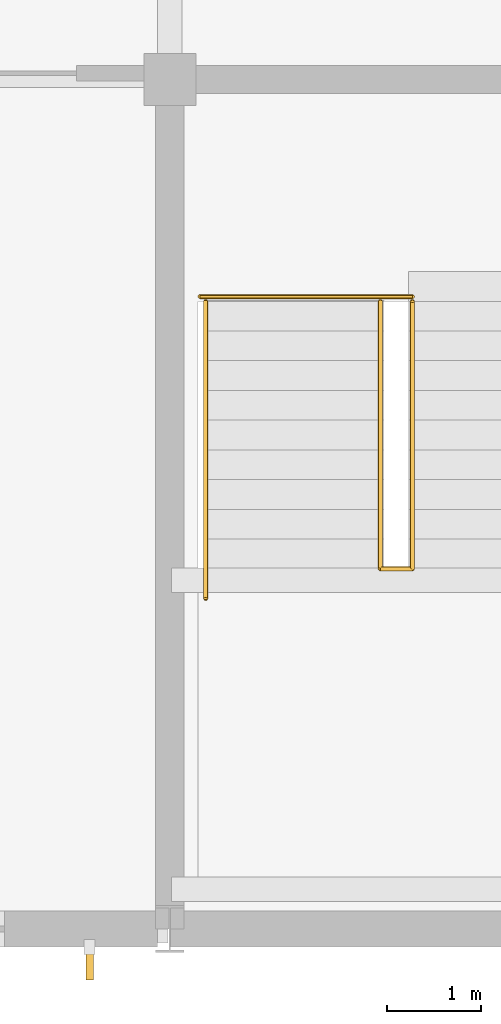
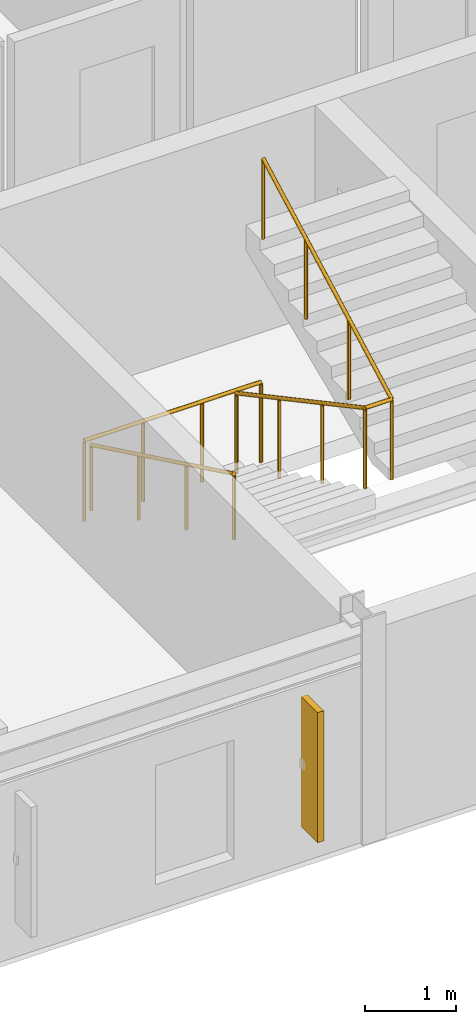
# One storey, part 28 of 30: 3 railings, 1 shading device.
"""IFC4 building model written with IfcOpenShell, lengths in metres."""

from ifc_helpers import new_model, si_unit, direction, frame, origin, origin_2d, place, context, subcontext, project, spatial, rectangle, circle, extrude, material, type_object, element, save


model = new_model("IFC4")

# Units and contexts
model_context = context("Model", 3, precision=1e-05, world=origin(), true_north=direction((0.0, 1.0)))
body_context = subcontext(model_context, "Body", "Model", "MODEL_VIEW")
ifc_project = project(units=[si_unit("LENGTHUNIT", "METRE"), si_unit("AREAUNIT", "SQUARE_METRE"), si_unit("VOLUMEUNIT", "CUBIC_METRE"), si_unit("PLANEANGLEUNIT", "RADIAN"), si_unit("MASSUNIT", "GRAM", prefix="KILO")], contexts=[model_context])

# Site, building, storey
site_placement = place(None, origin())
site = spatial("IfcSite", under=ifc_project, at=site_placement, CompositionType="ELEMENT")
building_placement = place(site_placement, origin())
building = spatial("IfcBuilding", under=site, at=building_placement, Name="Palais des Congres Ocreval", CompositionType="ELEMENT")
storey_placement = place(building_placement, frame((0.0, 0.0, 14.56005859375)))
storey = spatial("IfcBuildingStorey", under=building, at=storey_placement, Name="L04", CompositionType="ELEMENT", Elevation=14.56005859375)

# Railings
ifc_material_1 = material(Name="Anodized bronze aluminium", Category="aluminium")
railing_type_1 = type_object("IfcRailingType", Name="Bronze Stair and Ramp Handrail 900", PredefinedType="HANDRAIL", material=ifc_material_1)
railing_1_placement = place(storey_placement, frame((54.3798828125, 6.64990234375, 0.15185546875)))
element("IfcRailing", 1, at=railing_1_placement, inside=storey, type_object=railing_type_1, Name="Stair Wall Handrail ST04 L04", PredefinedType="HANDRAIL", context=body_context, shape_type="SweptSolid", body=[
    extrude(circle(Radius=0.02392578125, at=origin_2d()), frame((0.0, 0.0, 0.8759765625), z_axis=(0.0, -0.900621362251, 0.434604604044), x_axis=(1.0, 0.0, 0.0)), (0.0, 0.0, 1.0), 3.49755859375),
    extrude(circle(Radius=0.02099609375, at=origin_2d()), origin(), (0.0, 0.0, 1.0), 0.851806640625),
    extrude(circle(Radius=0.02099609375, at=origin_2d()), frame((0.0, -1.050048828125, 0.506591796875)), (0.0, 0.0, 1.0), 0.851806640625),
    extrude(circle(Radius=0.02099609375, at=origin_2d()), frame((0.0, -2.099853515625, 1.013427734375)), (0.0, 0.0, 1.0), 0.851806640625),
    extrude(circle(Radius=0.02099609375, at=origin_2d()), frame((0.0, -3.14990234375, 1.52001953125)), (0.0, 0.0, 1.0), 0.851806640625),
])
ifc_material_2 = material(Name="Steel S355", Category="steel")
railing_type_2 = type_object("IfcRailingType", Name="Stairwell Steel Guardrail 1100", PredefinedType="GUARDRAIL", material=ifc_material_2)
railing_2_placement = place(storey_placement, frame((54.320068359375, 6.699951171875, 0.0)))
element("IfcRailing", 2, at=railing_2_placement, inside=storey, type_object=railing_type_2, Name="Stairwell Landing Edge Guard ST04 L04", PredefinedType="GUARDRAIL", context=body_context, shape_type="SweptSolid", body=[
    extrude(circle(Radius=0.02392578125, at=origin_2d()), frame((0.0, 0.0, 1.076171875), z_axis=(1.0, 0.0, 0.0), x_axis=(0.0, 1.0, 0.0)), (0.0, 0.0, 1.0), 2.25),
    extrude(circle(Radius=0.02099609375, at=origin_2d()), origin(), (0.0, 0.0, 1.0), 1.052001953125),
    extrude(circle(Radius=0.02099609375, at=origin_2d()), frame((0.75, 0.0, 0.0)), (0.0, 0.0, 1.0), 1.052001953125),
    extrude(circle(Radius=0.02099609375, at=origin_2d()), frame((1.5, 0.0, 0.0)), (0.0, 0.0, 1.0), 1.052001953125),
    extrude(circle(Radius=0.02099609375, at=origin_2d()), frame((2.25, 0.0, 0.0)), (0.0, 0.0, 1.0), 1.052001953125),
])
railing_3_placement = place(storey_placement, frame((56.22998046875, 6.64990234375, 0.0)))
element("IfcRailing", 3, at=railing_3_placement, inside=storey, type_object=railing_type_2, Name="Stair Inner Guardrail ST04 L04", PredefinedType="GUARDRAIL", context=body_context, shape_type="SweptSolid", body=[
    extrude(circle(Radius=0.02392578125, at=origin_2d()), frame((0.0, 0.0, 1.076171875), z_axis=(0.0, -0.881312927046, 0.472533093678), x_axis=(1.0, 0.0, 0.0)), (0.0, 0.0, 1.0), 3.216796875),
    extrude(circle(Radius=0.02392578125, at=origin_2d()), frame((0.0, -2.8349609375, 2.59619140625), z_axis=(1.0, 0.0, 0.0), x_axis=(0.0, 1.0, 0.0)), (0.0, 0.0, 1.0), 0.340087890625),
    extrude(circle(Radius=0.02392578125, at=origin_2d()), frame((0.340087890625, -2.8349609375, 2.59619140625), z_axis=(0.0, 0.881312927046, 0.472533093678), x_axis=(-1.0, 0.0, 0.0)), (0.0, 0.0, 1.0), 3.216796875),
    extrude(circle(Radius=0.02099609375, at=origin_2d()), origin(), (0.0, 0.0, 1.0), 1.052001953125),
    extrude(circle(Radius=0.02099609375, at=origin_2d()), frame((0.0, -0.945068359375, 0.506591796875)), (0.0, 0.0, 1.0), 1.052001953125),
    extrude(circle(Radius=0.02099609375, at=origin_2d()), frame((0.0, -1.889892578125, 1.013427734375)), (0.0, 0.0, 1.0), 1.052001953125),
    extrude(circle(Radius=0.02099609375, at=origin_2d()), frame((0.0, -2.8349609375, 1.52001953125)), (0.0, 0.0, 1.0), 1.052001953125),
    extrude(circle(Radius=0.02099609375, at=origin_2d()), frame((0.340087890625, -2.8349609375, 1.52001953125)), (0.0, 0.0, 1.0), 1.052001953125),
    extrude(circle(Radius=0.02099609375, at=origin_2d()), frame((0.340087890625, -1.889892578125, 2.026611328125)), (0.0, 0.0, 1.0), 1.052001953125),
    extrude(circle(Radius=0.02099609375, at=origin_2d()), frame((0.340087890625, -0.945068359375, 2.533447265625)), (0.0, 0.0, 1.0), 1.052001953125),
    extrude(circle(Radius=0.02099609375, at=origin_2d()), frame((0.340087890625, 0.0, 3.0400390625)), (0.0, 0.0, 1.0), 1.052001953125),
])

# Shading device
ifc_material_3 = material(Name="Terracotta ceramic", Category="masonry")
shading_device_type = type_object("IfcShadingDeviceType", Name="Terracotta Ceramic Brise-Soleil Fin 360", PredefinedType="JALOUSIE", material=ifc_material_3)
shading_device_placement = place(storey_placement, frame((53.14990234375, -0.360107421875, 0.474853515625), z_axis=(0.0, 0.0, 1.0), x_axis=(0.0, -1.0, 0.0)))
element("IfcShadingDevice", 4, at=shading_device_placement, inside=storey, type_object=shading_device_type, Name="Ceramic Celosia Sun-Fin SD01", PredefinedType="JALOUSIE", context=body_context, shape_type="SweptSolid", body=[
    extrude(rectangle(XDim=0.360107421875, YDim=0.080078125, at=origin_2d()), origin(), (0.0, 0.0, 1.0), 1.75),
])

save(model, "model.ifc")
